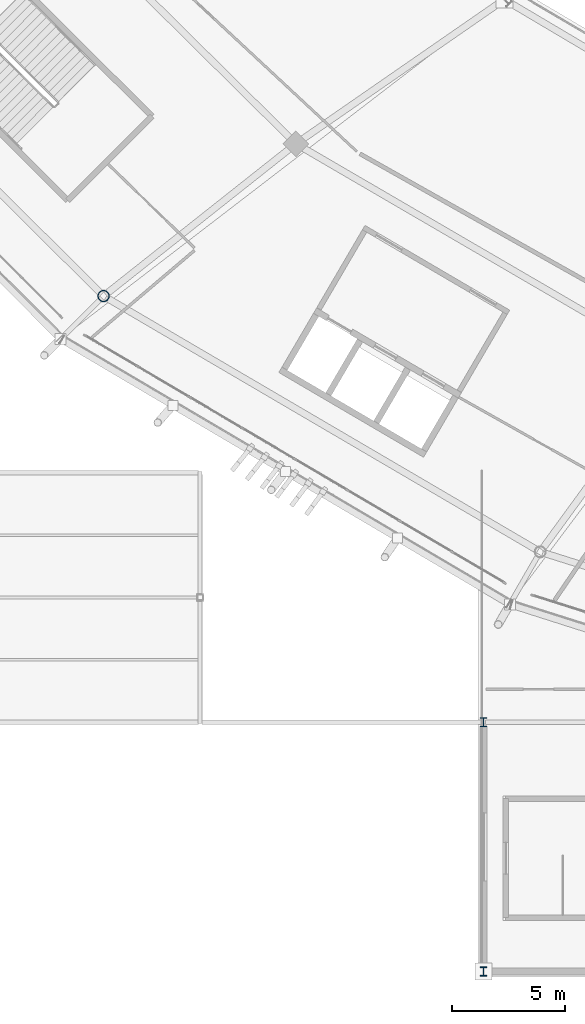
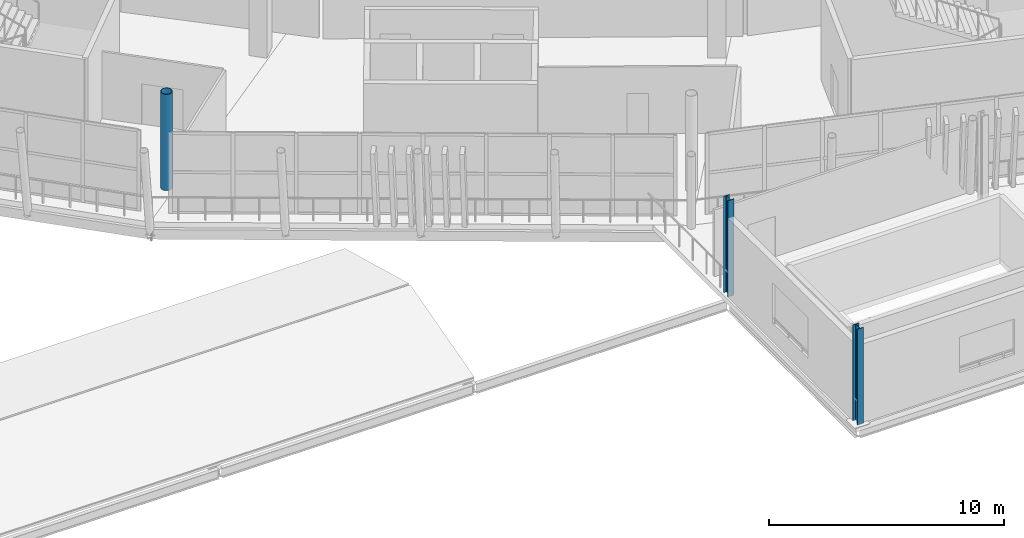
# One storey, part 1 of 179: 3 columns.
"""IFC4 building model written with IfcOpenShell, lengths in metres."""

import ifcopenshell
import ifcopenshell.guid

model = None  # the IFC model being written
_history = None  # IfcOwnerHistory: only IFC2X3 demands one
_inside = {}  # id of a spatial element -> (the spatial element, [elements in it])
_under = {}  # id of a project, library or spatial element -> (it, [spatial elements below it])
_declared = {}  # id of a project -> (the project, [libraries it declares])
_typed = {}  # id of a type object -> (the type object, [elements of that type])
_made_of = {}  # id of a material, layer set ... -> (it, [elements and type objects made of it])


def new_model(schema):
    """Start an empty IFC model of exactly this schema.

    Asked for "IFC4X3", IfcOpenShell would pick the latest addendum, in which some entities
    have other attributes; the version numbers below select the first issue.
    IFC2X3 requires an IfcOwnerHistory on every rooted entity: one is made here for all.
    """
    global model, _history
    if schema == "IFC4X3":
        model = ifcopenshell.file(schema_version=(4, 3, 0, 0))
    else:
        model = ifcopenshell.file(schema=schema)
    _inside.clear()
    _under.clear()
    _declared.clear()
    _typed.clear()
    _made_of.clear()
    _history = None
    if model.schema == "IFC2X3":
        org = make("IfcOrganization", Name="unknown")
        user = make(
            "IfcPersonAndOrganization",
            ThePerson=make("IfcPerson", FamilyName="unknown"),
            TheOrganization=org,
        )
        app = make(
            "IfcApplication",
            ApplicationDeveloper=org,
            Version="unknown",
            ApplicationFullName="unknown",
            ApplicationIdentifier="unknown",
        )
        _history = make(
            "IfcOwnerHistory",
            OwningUser=user,
            OwningApplication=app,
            ChangeAction="ADDED",
            CreationDate=0,
        )
    return model


def make(cls, **values):
    """One entity of the class cls with the attributes given. An attribute that is None is left unset."""
    return model.create_entity(
        cls, **{name: value for name, value in values.items() if value is not None}
    )


def rooted(cls, **values):
    """An entity with a GlobalId (a new one), such as an element, a storey or a relation."""
    return make(cls, GlobalId=ifcopenshell.guid.new(), OwnerHistory=_history, **values)


def si_unit(unit_type, name, prefix=None):
    """IfcSIUnit, for example si_unit("LENGTHUNIT", "METRE", prefix="MILLI")."""
    return make("IfcSIUnit", UnitType=unit_type, Prefix=prefix, Name=name)


def assignment(units):
    """IfcUnitAssignment: the units of a project."""
    return None if units is None else make("IfcUnitAssignment", Units=units)


def point(xyz):
    """IfcCartesianPoint."""
    return None if xyz is None else make("IfcCartesianPoint", Coordinates=xyz)


def direction(xyz):
    """IfcDirection."""
    return None if xyz is None else make("IfcDirection", DirectionRatios=xyz)


def frame(location, z_axis=None, x_axis=None):
    """IfcAxis2Placement3D, a coordinate frame: its origin and axes. An axis left out is left unset."""
    return make(
        "IfcAxis2Placement3D",
        Location=point(location),
        Axis=direction(z_axis),
        RefDirection=direction(x_axis),
    )


def frame_2d(location, x_axis=None):
    """IfcAxis2Placement2D, a coordinate frame in the plane: its origin and x axis."""
    return make(
        "IfcAxis2Placement2D", Location=point(location), RefDirection=direction(x_axis)
    )


def origin():
    """The frame at (0, 0, 0) with its axes left unset."""
    return frame((0.0, 0.0, 0.0))


def origin_2d():
    """The frame at (0, 0) in the plane with its x axis left unset."""
    return frame_2d((0.0, 0.0))


def place(relative_to, where):
    """IfcLocalPlacement: puts the frame where relative to a parent placement (None: the world)."""
    return make(
        "IfcLocalPlacement", PlacementRelTo=relative_to, RelativePlacement=where
    )


def context(
    kind, dimensions, precision=None, world=None, true_north=None, identifier=None
):
    """IfcGeometricRepresentationContext, for example the 3D "Model" context."""
    return make(
        "IfcGeometricRepresentationContext",
        ContextIdentifier=identifier,
        ContextType=kind,
        CoordinateSpaceDimension=dimensions,
        Precision=precision,
        WorldCoordinateSystem=world,
        TrueNorth=true_north,
    )


def subcontext(parent, identifier, kind, view, scale=None):
    """IfcGeometricRepresentationSubContext, for example "Body" below "Model"."""
    return make(
        "IfcGeometricRepresentationSubContext",
        ContextIdentifier=identifier,
        ContextType=kind,
        ParentContext=parent,
        TargetScale=scale,
        TargetView=view,
    )


def project(units=None, contexts=None):
    """IfcProject with its units and contexts."""
    return rooted(
        "IfcProject",
        Name="project",
        RepresentationContexts=contexts,
        UnitsInContext=assignment(units),
    )


def spatial(cls, under=None, at=None, **own):
    """A site, building, storey or space (cls), placed at a placement, below another one or the project."""
    s = rooted(cls, ObjectPlacement=at, **own)
    if under is not None:
        _under.setdefault(under.id(), (under, []))[1].append(s)
    return s


def profile(cls, at=None, kind="AREA", **sizes):
    """A parametric profile (cls). Its sizes go by their IFC names, for example OverallWidth=200.0."""
    return make(cls, ProfileType=kind, Position=at, **sizes)


def hollow_circle(**sizes):
    """IfcCircleHollowProfileDef."""
    return profile("IfcCircleHollowProfileDef", **sizes)


def i_section(**sizes):
    """IfcIShapeProfileDef."""
    return profile("IfcIShapeProfileDef", **sizes)


def extrude(swept, where, along, depth):
    """IfcExtrudedAreaSolid: the profile swept, set in the frame where, extruded along a direction by depth."""
    return make(
        "IfcExtrudedAreaSolid",
        SweptArea=swept,
        Position=where,
        ExtrudedDirection=direction(along),
        Depth=depth,
    )


def shape(context_of_items, identifier, shape_type, items):
    """IfcShapeRepresentation: the items that make up one representation, for example the "Body"."""
    return make(
        "IfcShapeRepresentation",
        ContextOfItems=context_of_items,
        RepresentationIdentifier=identifier,
        RepresentationType=shape_type,
        Items=items,
    )


def material(Name=None, Category=None):
    """IfcMaterial."""
    return make("IfcMaterial", Name=Name, Category=Category)


def material_profile(
    of_material, cross_section, Name=None, Category=None, Priority=None
):
    """IfcMaterialProfile: a cross section and its material."""
    return make(
        "IfcMaterialProfile",
        Name=Name,
        Material=of_material,
        Profile=cross_section,
        Priority=Priority,
        Category=Category,
    )


def profile_set(profiles, Name=None, composite=None):
    """IfcMaterialProfileSet."""
    return make(
        "IfcMaterialProfileSet",
        Name=Name,
        MaterialProfiles=profiles,
        CompositeProfile=composite,
    )


def made_of(thing, what):
    """Note that an element or type object is made of a material, layer set ...; save() writes the relation."""
    if what is not None:
        _made_of.setdefault(what.id(), (what, []))[1].append(thing)
    return thing


def type_object(cls, material=None, **own):
    """A type object (cls), such as IfcWallType, which elements share."""
    return made_of(rooted(cls, **own), material)


def element(
    cls,
    number,
    at=None,
    inside=None,
    cuts=None,
    type_object=None,
    material=None,
    context=None,
    identifier="Body",
    shape_type=None,
    held_by="IfcProductDefinitionShape",
    body=None,
    shapes=None,
    **own,
):
    """One element of the class cls, such as IfcWall. Its Tag is "e" and its number.

    at: its placement. inside: the storey or other place that contains it. cuts: it is an
    opening in that element (IfcRelVoidsElement). A single representation is given by context,
    identifier, shape_type and body (its items); several are given by shapes. held_by: the class
    of the entity that holds the representations. save() writes the other relations.
    """
    e = rooted(cls, Tag="e%d" % number, ObjectPlacement=at, **own)
    if body is not None:
        shapes = [shape(context, identifier, shape_type, body)]
    if shapes is not None:
        e.Representation = make(held_by, Representations=shapes)
    if inside is not None:
        _inside.setdefault(inside.id(), (inside, []))[1].append(e)
    if cuts is not None:
        rooted(
            "IfcRelVoidsElement", RelatingBuildingElement=cuts, RelatedOpeningElement=e
        )
    if type_object is not None:
        _typed.setdefault(type_object.id(), (type_object, []))[1].append(e)
    return made_of(e, material)


def aggregate(whole, parts):
    """IfcRelAggregates: a whole, such as a stair, and the parts it consists of."""
    return rooted("IfcRelAggregates", RelatingObject=whole, RelatedObjects=parts)


def save(model, path):
    """Write the relations noted so far, then the file.

    IfcRelAggregates (storeys below a building ...), IfcRelContainedInSpatialStructure (elements
    in a storey), IfcRelDefinesByType, IfcRelAssociatesMaterial and IfcRelDeclares: one each for
    every whole, place, type object, material and project.
    """
    for whole, parts in _under.values():
        aggregate(whole, parts)
    for where, things in _inside.values():
        rooted(
            "IfcRelContainedInSpatialStructure",
            RelatedElements=things,
            RelatingStructure=where,
        )
    for kind, things in _typed.values():
        rooted("IfcRelDefinesByType", RelatedObjects=things, RelatingType=kind)
    for what, things in _made_of.values():
        rooted("IfcRelAssociatesMaterial", RelatedObjects=things, RelatingMaterial=what)
    for by, libraries in _declared.values():
        rooted("IfcRelDeclares", RelatingContext=by, RelatedDefinitions=libraries)
    model.write(path)


model = new_model("IFC4")

# Units and contexts
model_context = context("Model", 3, precision=1e-05, world=origin(), true_north=direction((0.0, 1.0)))
body_context = subcontext(model_context, "Body", "Model", "MODEL_VIEW")
ifc_project = project(units=[si_unit("LENGTHUNIT", "METRE"), si_unit("AREAUNIT", "SQUARE_METRE"), si_unit("VOLUMEUNIT", "CUBIC_METRE"), si_unit("PLANEANGLEUNIT", "RADIAN"), si_unit("MASSUNIT", "GRAM", prefix="KILO")], contexts=[model_context])

# Site, building, storey
site_placement = place(None, origin())
site = spatial("IfcSite", under=ifc_project, at=site_placement, CompositionType="ELEMENT")
building_placement = place(site_placement, origin())
building = spatial("IfcBuilding", under=site, at=building_placement, Name="Zlatoyarsky Gate Stadium", CompositionType="ELEMENT")
storey_placement = place(building_placement, frame((0.0, 0.0, 10.60009765625)))
storey = spatial("IfcBuildingStorey", under=building, at=storey_placement, Name="L02", CompositionType="ELEMENT", Elevation=10.60009765625)

# Columns
ifc_material = material(Name="Steel S355", Category="steel")
ifc_material_profile_1 = material_profile(ifc_material, i_section(OverallWidth=0.300048828125, OverallDepth=0.39990234375, WebThickness=0.013427734375, FlangeThickness=0.02392578125, FilletRadius=0.027099609375, at=origin_2d()), Name="HEB 400")
ifc_profile_set_1 = profile_set([ifc_material_profile_1], Name="Steel S355")
column_type_1 = type_object("IfcColumnType", Name="STEEL COLUMN HEB 400", PredefinedType="COLUMN", material=ifc_profile_set_1)
for number, where, z_axis, x_axis, name in (
    (1, (62.0, 0.0, 0.0), (0.0, 0.0, 1.0), (1.0, 0.0, 0.0), "Column ST-C400 WG-6-A on L02"),
    (2, (62.0, 11.0, 0.0), (0.0, 0.0, 1.0), (1.0, 0.0, 0.0), "Column ST-C400 WG-6-B on L02"),
):
    element("IfcColumn", number, at=place(storey_placement, frame(where, z_axis=z_axis, x_axis=x_axis)), inside=storey, type_object=column_type_1, Name=name, PredefinedType="COLUMN", context=body_context, shape_type="SweptSolid", body=[
        extrude(i_section(OverallWidth=0.300048828125, OverallDepth=0.39990234375, WebThickness=0.013427734375, FlangeThickness=0.02392578125, FilletRadius=0.027099609375, at=origin_2d()), origin(), (0.0, 0.0, 1.0), 5.0),
    ])
ifc_material_profile_2 = material_profile(ifc_material, hollow_circle(Radius=0.25390625, WallThickness=0.02490234375, at=origin_2d()), Name="CHS 508X25")
ifc_profile_set_2 = profile_set([ifc_material_profile_2], Name="Steel S355")
column_type_2 = type_object("IfcColumnType", Name="STEEL TUBULAR COLUMN CHS 508X25", PredefinedType="COLUMN", material=ifc_profile_set_2)
column_placement = place(storey_placement, frame((45.239013671875, 29.79541015625, 0.0), z_axis=(0.0, 0.0, 1.0), x_axis=(-0.707106781187, -0.707106781187, 0.0)))
element("IfcColumn", 3, at=column_placement, inside=storey, type_object=column_type_2, Name="Column ST-C508 RC-15 on L02", PredefinedType="COLUMN", context=body_context, shape_type="SweptSolid", body=[
    extrude(hollow_circle(Radius=0.25390625, WallThickness=0.02490234375, at=origin_2d()), origin(), (0.0, 0.0, 1.0), 5.0),
])

save(model, "model.ifc")
